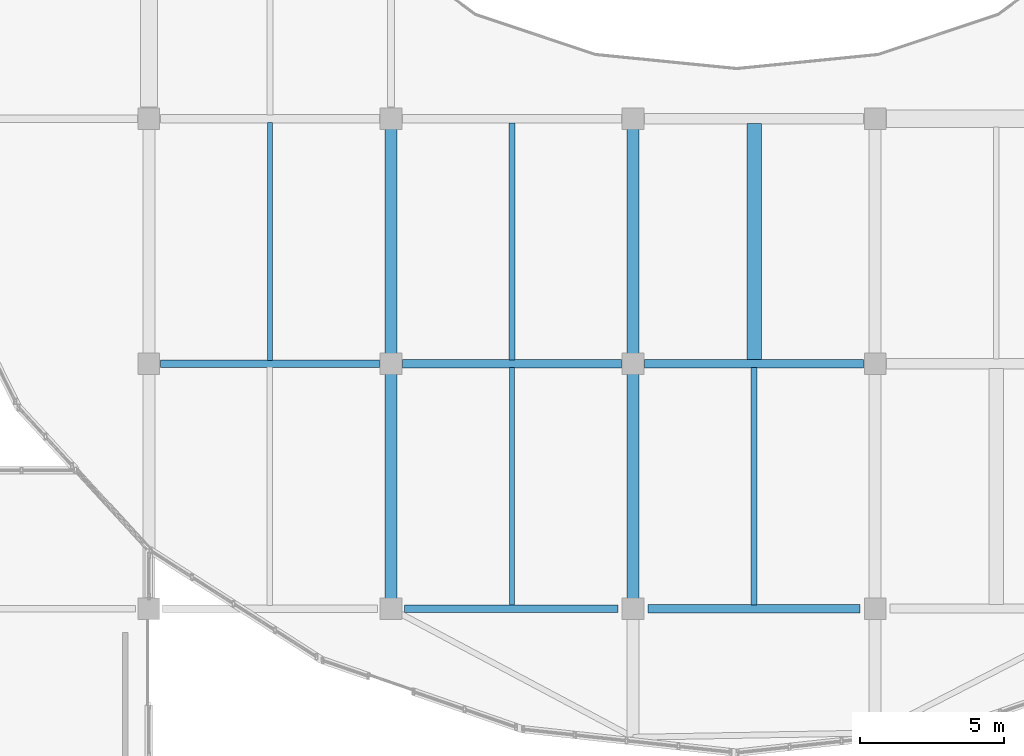
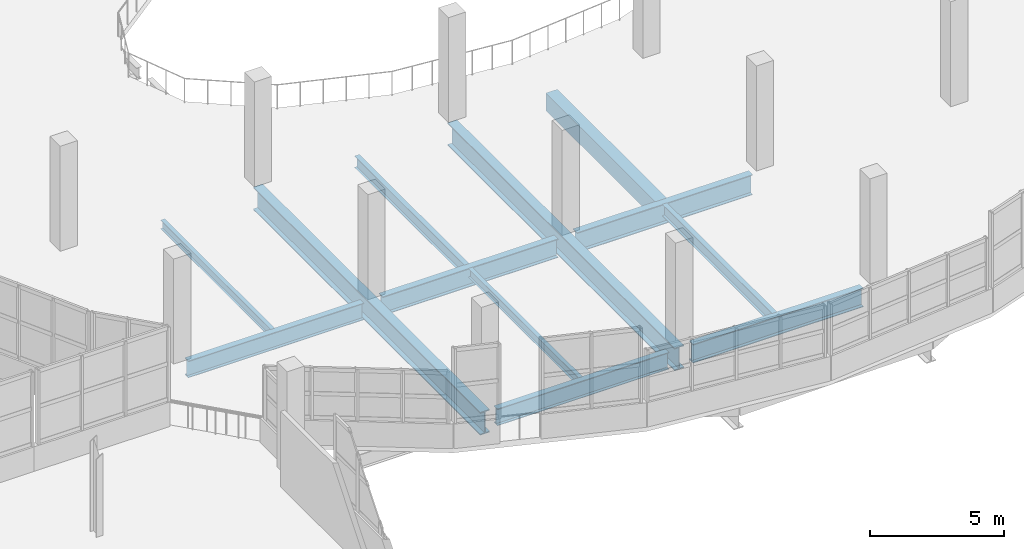
# One storey, part 13 of 117: 12 beams.
"""IFC4 building model written with IfcOpenShell, lengths in metres."""

from ifc_helpers import new_model, si_unit, direction, frame, origin, origin_2d, place, context, subcontext, project, spatial, rectangle, i_section, extrude, material, material_profile, profile_set, type_object, element, save


model = new_model("IFC4")

# Units and contexts
model_context = context("Model", 3, precision=1e-05, world=origin(), true_north=direction((0.0, 1.0)))
body_context = subcontext(model_context, "Body", "Model", "MODEL_VIEW")
ifc_project = project(units=[si_unit("LENGTHUNIT", "METRE"), si_unit("AREAUNIT", "SQUARE_METRE"), si_unit("VOLUMEUNIT", "CUBIC_METRE"), si_unit("PLANEANGLEUNIT", "RADIAN"), si_unit("MASSUNIT", "GRAM", prefix="KILO")], contexts=[model_context])

# Site, building, storey
site_placement = place(None, origin())
site = spatial("IfcSite", under=ifc_project, at=site_placement, CompositionType="ELEMENT")
building_placement = place(site_placement, origin())
building = spatial("IfcBuilding", under=site, at=building_placement, Name="Solvento Point Concert Hall", CompositionType="ELEMENT")
storey_placement = place(building_placement, frame((0.0, 0.0, 5.39990234375)))
storey = spatial("IfcBuildingStorey", under=building, at=storey_placement, Name="L01", CompositionType="ELEMENT", Elevation=5.39990234375)

# Beams
ifc_material_1 = material(Name="Concrete C35/45", Category="concrete")
ifc_material_profile_1 = material_profile(ifc_material_1, rectangle(XDim=0.5, YDim=0.800048828125, at=origin_2d()), Name="RC-BM-500X800")
ifc_profile_set_1 = profile_set([ifc_material_profile_1], Name="Concrete C35/45")
beam_type_1 = type_object("IfcBeamType", Name="Beam_RC_500x800", PredefinedType="BEAM", material=ifc_profile_set_1)
beam_1_placement = place(storey_placement, frame((61.800048828125, 25.638671875, -0.683837890625), z_axis=(0.0, 1.0, 0.0), x_axis=(-1.0, 0.0, 0.0)))
element("IfcBeam", 1, at=beam_1_placement, inside=storey, type_object=beam_type_1, Name="Secondary floor joist B-63 L01", PredefinedType="BEAM", context=body_context, shape_type="SweptSolid", body=[
    extrude(rectangle(XDim=0.5, YDim=0.800048828125, at=origin_2d()), origin(), (0.0, 0.0, 1.0), 8.19580078125),
])
ifc_material_2 = material(Name="Structural Steel ASTM A992 Grade 50", Category="steel")
ifc_material_profile_2 = material_profile(ifc_material_2, i_section(OverallWidth=0.20947265625, OverallDepth=0.532958984375, WebThickness=0.01025390625, FlangeThickness=0.015625, at=origin_2d()), Name="W21X62")
ifc_profile_set_2 = profile_set([ifc_material_profile_2], Name="Structural Steel ASTM A992 Grade 50")
beam_type_2 = type_object("IfcBeamType", Name="Beam_W21X62", PredefinedType="BEAM", material=ifc_profile_set_2)
beam_2_placement = place(storey_placement, frame((53.39990234375, 25.631103515625, -0.55029296875), z_axis=(0.0, 1.0, 0.0), x_axis=(-1.0, 0.0, 0.0)))
element("IfcBeam", 2, at=beam_2_placement, inside=storey, type_object=beam_type_2, Name="Secondary floor joist B-25 L01", PredefinedType="BEAM", context=body_context, shape_type="SweptSolid", body=[
    extrude(i_section(OverallWidth=0.20947265625, OverallDepth=0.532958984375, WebThickness=0.01025390625, FlangeThickness=0.015625, at=origin_2d()), origin(), (0.0, 0.0, 1.0), 8.22998046875),
])
beam_3_placement = place(storey_placement, frame((61.800048828125, 17.131103515625, -0.55029296875), z_axis=(0.0, 1.0, 0.0), x_axis=(-1.0, 0.0, 0.0)))
element("IfcBeam", 3, at=beam_3_placement, inside=storey, type_object=beam_type_2, Name="Secondary floor joist B-25 L01", PredefinedType="BEAM", context=body_context, shape_type="SweptSolid", body=[
    extrude(i_section(OverallWidth=0.20947265625, OverallDepth=0.532958984375, WebThickness=0.01025390625, FlangeThickness=0.015625, at=origin_2d()), origin(), (0.0, 0.0, 1.0), 8.230224609375),
])
ifc_material_3 = material(Name="Structural Steel ASTM A992 Grade 50", Category="steel")
ifc_material_profile_3 = material_profile(ifc_material_3, i_section(OverallWidth=0.408935546875, OverallDepth=1.041015625, WebThickness=0.031005859375, FlangeThickness=0.04443359375, at=origin_2d()), Name="W40X397")
ifc_profile_set_3 = profile_set([ifc_material_profile_3], Name="Structural Steel ASTM A992 Grade 50")
beam_type_3 = type_object("IfcBeamType", Name="CantileverGirder_W40X397", PredefinedType="USERDEFINED", material=ifc_profile_set_3)
for number, where, z_axis, x_axis, name in (
    (4, (49.199951171875, 34.0, -0.805419921875), (0.0, -1.0, 0.0), (1.0, 0.0, 0.0), "Radial back-span girder CG-01 L01"),
    (5, (57.60009765625, 34.0, -0.805419921875), (0.0, -1.0, 0.0), (1.0, 0.0, 0.0), "Radial back-span girder CG-01 L01"),
):
    element("IfcBeam", number, at=place(storey_placement, frame(where, z_axis=z_axis, x_axis=x_axis)), inside=storey, type_object=beam_type_3, Name=name, ObjectType="GIRDER", PredefinedType="USERDEFINED", context=body_context, shape_type="SweptSolid", body=[
        extrude(i_section(OverallWidth=0.408935546875, OverallDepth=1.041015625, WebThickness=0.031005859375, FlangeThickness=0.04443359375, at=origin_2d()), origin(), (0.0, 0.0, 1.0), 17.0),
    ])
ifc_material_4 = material(Name="Structural Steel ASTM A992 Grade 50", Category="steel")
ifc_material_profile_4 = material_profile(ifc_material_4, i_section(OverallWidth=0.26806640625, OverallDepth=0.77001953125, WebThickness=0.015625, FlangeThickness=0.025390625, at=origin_2d()), Name="W30X132")
ifc_profile_set_4 = profile_set([ifc_material_profile_4], Name="Structural Steel ASTM A992 Grade 50")
beam_type_4 = type_object("IfcBeamType", Name="Girder_W30X132", PredefinedType="USERDEFINED", material=ifc_profile_set_4)
beam_4_placement = place(storey_placement, frame((49.6689453125, 17.0, -0.6689453125), z_axis=(1.0, 0.0, 0.0), x_axis=(0.0, 1.0, 0.0)))
element("IfcBeam", 6, at=beam_4_placement, inside=storey, type_object=beam_type_4, Name="Primary girder B-68 L01", ObjectType="GIRDER", PredefinedType="USERDEFINED", context=body_context, shape_type="SweptSolid", body=[
    extrude(i_section(OverallWidth=0.26806640625, OverallDepth=0.77001953125, WebThickness=0.015625, FlangeThickness=0.025390625, at=origin_2d()), origin(), (0.0, 0.0, 1.0), 7.412109375),
])
beam_5_placement = place(storey_placement, frame((41.2041015625, 25.5, -0.6689453125), z_axis=(1.0, 0.0, 0.0), x_axis=(0.0, 1.0, 0.0)))
element("IfcBeam", 7, at=beam_5_placement, inside=storey, type_object=beam_type_4, Name="Primary girder B-68 L01", ObjectType="GIRDER", PredefinedType="USERDEFINED", context=body_context, shape_type="SweptSolid", body=[
    extrude(i_section(OverallWidth=0.26806640625, OverallDepth=0.77001953125, WebThickness=0.015625, FlangeThickness=0.025390625, at=origin_2d()), origin(), (0.0, 0.0, 1.0), 7.591796875),
])
ifc_material_5 = material(Name="Structural Steel ASTM A992 Grade 50", Category="steel")
ifc_material_profile_5 = material_profile(ifc_material_5, i_section(OverallWidth=0.2919921875, OverallDepth=0.85888671875, WebThickness=0.01708984375, FlangeThickness=0.031005859375, at=origin_2d()), Name="W33X169")
ifc_profile_set_5 = profile_set([ifc_material_profile_5], Name="Structural Steel ASTM A992 Grade 50")
beam_type_5 = type_object("IfcBeamType", Name="Girder_W33X169", PredefinedType="USERDEFINED", material=ifc_profile_set_5)
beam_6_placement = place(storey_placement, frame((58.118896484375, 17.0, -0.71337890625), z_axis=(1.0, 0.0, 0.0), x_axis=(0.0, 1.0, 0.0)))
element("IfcBeam", 8, at=beam_6_placement, inside=storey, type_object=beam_type_5, Name="Primary girder B-33 L01", ObjectType="GIRDER", PredefinedType="USERDEFINED", context=body_context, shape_type="SweptSolid", body=[
    extrude(i_section(OverallWidth=0.2919921875, OverallDepth=0.85888671875, WebThickness=0.01708984375, FlangeThickness=0.031005859375, at=origin_2d()), origin(), (0.0, 0.0, 1.0), 7.362060546875),
])
beam_7_placement = place(storey_placement, frame((49.60400390625, 25.5, -0.71337890625), z_axis=(1.0, 0.0, 0.0), x_axis=(0.0, 1.0, 0.0)))
element("IfcBeam", 9, at=beam_7_placement, inside=storey, type_object=beam_type_5, Name="Primary girder B-33 L01", ObjectType="GIRDER", PredefinedType="USERDEFINED", context=body_context, shape_type="SweptSolid", body=[
    extrude(i_section(OverallWidth=0.2919921875, OverallDepth=0.85888671875, WebThickness=0.01708984375, FlangeThickness=0.031005859375, at=origin_2d()), origin(), (0.0, 0.0, 1.0), 7.592041015625),
])
ifc_material_6 = material(Name="Structural Steel ASTM A992 Grade 50", Category="steel")
ifc_material_profile_6 = material_profile(ifc_material_6, i_section(OverallWidth=0.3076171875, OverallDepth=0.927001953125, WebThickness=0.019287109375, FlangeThickness=0.031982421875, at=origin_2d()), Name="W36X194")
ifc_profile_set_6 = profile_set([ifc_material_profile_6], Name="Structural Steel ASTM A992 Grade 50")
beam_type_6 = type_object("IfcBeamType", Name="Girder_W36X194", PredefinedType="USERDEFINED", material=ifc_profile_set_6)
beam_8_placement = place(storey_placement, frame((58.00390625, 25.5, -0.747314453125), z_axis=(1.0, 0.0, 0.0), x_axis=(0.0, 1.0, 0.0)))
element("IfcBeam", 10, at=beam_8_placement, inside=storey, type_object=beam_type_6, Name="Primary girder B-61 L01", ObjectType="GIRDER", PredefinedType="USERDEFINED", context=body_context, shape_type="SweptSolid", body=[
    extrude(i_section(OverallWidth=0.3076171875, OverallDepth=0.927001953125, WebThickness=0.019287109375, FlangeThickness=0.031982421875, at=origin_2d()), origin(), (0.0, 0.0, 1.0), 7.592041015625),
])
ifc_material_7 = material(Name="Structural Steel ASTM A992 Grade 50", Category="steel")
ifc_material_profile_7 = material_profile(ifc_material_7, i_section(OverallWidth=0.177490234375, OverallDepth=0.403076171875, WebThickness=0.007568359375, FlangeThickness=0.010986328125, at=origin_2d()), Name="W16X36")
ifc_profile_set_7 = profile_set([ifc_material_profile_7], Name="Structural Steel ASTM A992 Grade 50")
beam_type_7 = type_object("IfcBeamType", Name="Joist_W16X36", PredefinedType="JOIST", material=ifc_profile_set_7)
for number, where, z_axis, x_axis, name in (
    (11, (45.0, 25.618896484375, -0.4853515625), (0.0, 1.0, 0.0), (-1.0, 0.0, 0.0), "Secondary floor joist B-30 L01"),
    (12, (53.39990234375, 17.118896484375, -0.4853515625), (0.0, 1.0, 0.0), (-1.0, 0.0, 0.0), "Secondary floor joist B-30 L01"),
):
    element("IfcBeam", number, at=place(storey_placement, frame(where, z_axis=z_axis, x_axis=x_axis)), inside=storey, type_object=beam_type_7, Name=name, PredefinedType="JOIST", context=body_context, shape_type="SweptSolid", body=[
        extrude(i_section(OverallWidth=0.177490234375, OverallDepth=0.403076171875, WebThickness=0.007568359375, FlangeThickness=0.010986328125, at=origin_2d()), origin(), (0.0, 0.0, 1.0), 8.25),
    ])

save(model, "model.ifc")
